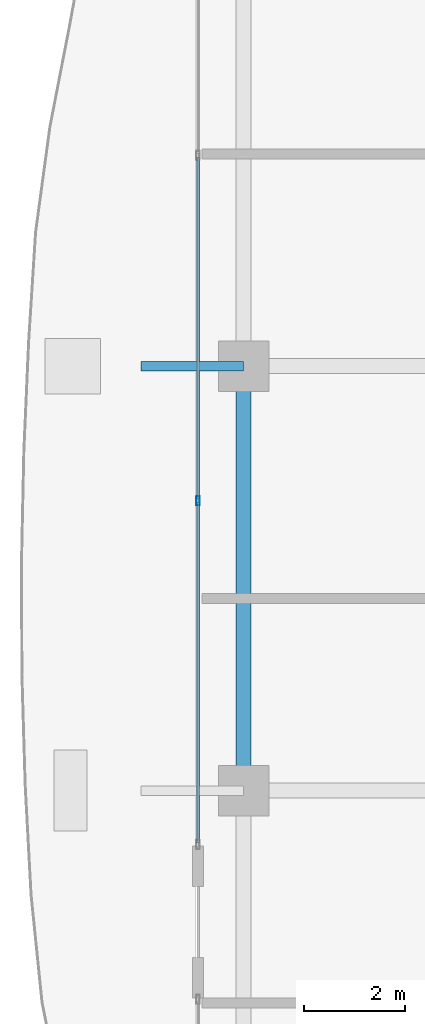
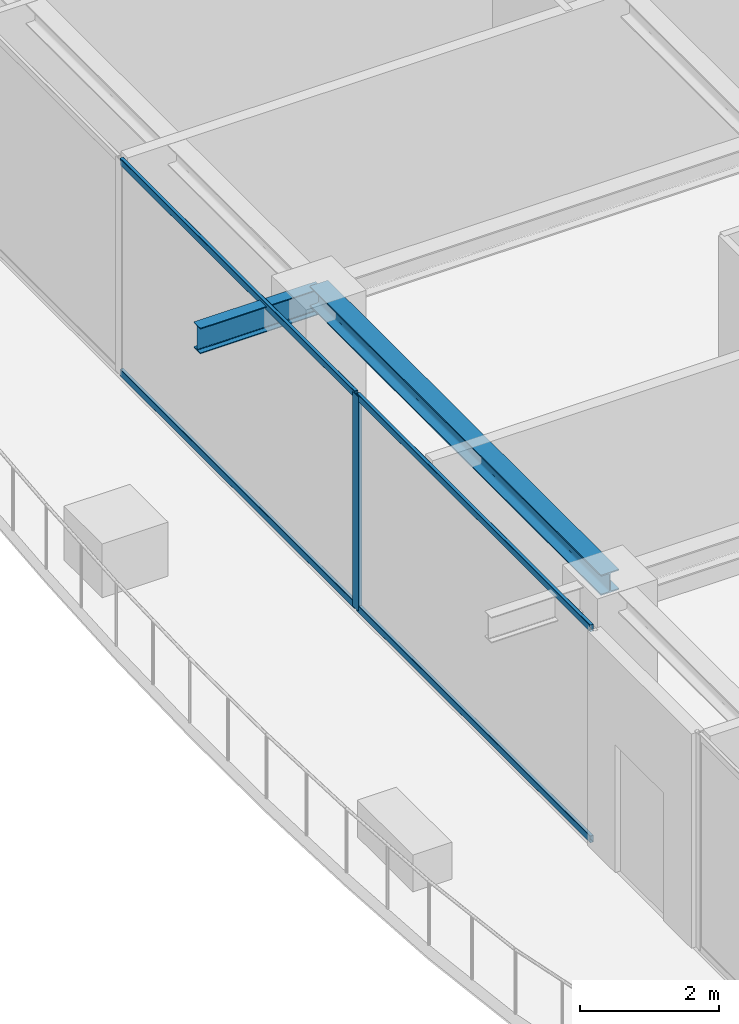
# One storey, part 8 of 37: 5 members, 2 beams, 1 element without a shape of its own.
"""IFC4 building model written with IfcOpenShell, lengths in metres."""

from ifc_helpers import new_model, si_unit, direction, frame, origin, origin_2d, place, context, subcontext, project, spatial, hollow_rectangle, i_section, extrude, source, transform, mapped, material, layer, layer_set, material_profile, profile_set, type_object, element, aggregate, save


model = new_model("IFC4")

# Units and contexts
model_context = context("Model", 3, precision=1e-05, world=origin(), true_north=direction((0.0, 1.0)))
body_context = subcontext(model_context, "Body", "Model", "MODEL_VIEW")
ifc_project = project(units=[si_unit("LENGTHUNIT", "METRE"), si_unit("AREAUNIT", "SQUARE_METRE"), si_unit("VOLUMEUNIT", "CUBIC_METRE"), si_unit("PLANEANGLEUNIT", "RADIAN"), si_unit("MASSUNIT", "GRAM", prefix="KILO")], contexts=[model_context])

# Site, building, storey
site_placement = place(None, origin())
site = spatial("IfcSite", under=ifc_project, at=site_placement, CompositionType="ELEMENT")
building_placement = place(site_placement, origin())
building = spatial("IfcBuilding", under=site, at=building_placement, Name="Serunith Strait Residences", CompositionType="ELEMENT")
storey_placement = place(building_placement, frame((0.0, 0.0, 305.60009765625)))
storey = spatial("IfcBuildingStorey", under=building, at=storey_placement, Name="L76", CompositionType="ELEMENT", Elevation=305.60009765625)

# Beams
ifc_material_1 = material(Name="Steel S355J2", Category="steel")
ifc_material_profile_1 = material_profile(ifc_material_1, i_section(OverallWidth=0.300048828125, OverallDepth=0.360107421875, WebThickness=0.012451171875, FlangeThickness=0.0224609375, FilletRadius=0.027099609375, at=origin_2d()), Name="HEB 360")
ifc_profile_set_1 = profile_set([ifc_material_profile_1], Name="Steel S355J2")
beam_type_1 = type_object("IfcBeamType", Name="BM-HEB360", PredefinedType="BEAM", material=ifc_profile_set_1)
shared_shape_1 = source(origin(), body_context, "Body", "SweptSolid", [
    extrude(i_section(OverallWidth=0.300048828125, OverallDepth=0.360107421875, WebThickness=0.012451171875, FlangeThickness=0.0224609375, FilletRadius=0.027099609375, at=origin_2d()), origin(), (0.0, 0.0, 1.0), 8.39990234375),
])
beam_1_placement = place(storey_placement, frame((10.10009765625, 29.39990234375, 3.60693359375), z_axis=(0.0, -1.0, 0.0), x_axis=(1.0, 0.0, 0.0)))
element("IfcBeam", 1, at=beam_1_placement, inside=storey, type_object=beam_type_1, Name="L76 Perimeter Ring Beam 14", PredefinedType="BEAM", context=body_context, shape_type="MappedRepresentation", body=[
    mapped(shared_shape_1, transform((0.0, 0.0, 0.0), scale=1.0)),
])
ifc_material_profile_2 = material_profile(ifc_material_1, i_section(OverallWidth=0.18994140625, OverallDepth=0.449951171875, WebThickness=0.009521484375, FlangeThickness=0.0146484375, FilletRadius=0.02099609375, at=origin_2d()), Name="IPE 450")
ifc_profile_set_2 = profile_set([ifc_material_profile_2], Name="Steel S355J2")
beam_type_2 = type_object("IfcBeamType", Name="BM-IPE450", PredefinedType="JOIST", material=ifc_profile_set_2)
shared_shape_2 = source(origin(), body_context, "Body", "SweptSolid", [
    extrude(i_section(OverallWidth=0.18994140625, OverallDepth=0.449951171875, WebThickness=0.009521484375, FlangeThickness=0.0146484375, FilletRadius=0.02099609375, at=origin_2d()), origin(), (0.0, 0.0, 1.0), 2.030029296875),
])
beam_2_placement = place(storey_placement, frame((10.10009765625, 29.39990234375, 3.531982421875), z_axis=(-1.0, 0.0, 0.0), x_axis=(0.0, -1.0, 0.0)))
element("IfcBeam", 2, at=beam_2_placement, inside=storey, type_object=beam_type_2, Name="L77 Cantilevered Balcony Rib TC-W3", PredefinedType="JOIST", context=body_context, shape_type="MappedRepresentation", body=[
    mapped(shared_shape_2, transform((0.0, 0.0, 0.0), scale=1.0)),
])

# Curtain wall, members
ifc_material_2 = material(Name="Brushed Stainless-Silver Aluminium", Category="aluminium")
ifc_layer = layer(ifc_material_2, 0.199951171875, Name="Brushed Stainless-Silver Aluminium")
ifc_layer_set = layer_set([ifc_layer], Name="Brushed Stainless-Silver Aluminium")
curtain_wall_type = type_object("IfcCurtainWallType", Name="CW-SYS5", PredefinedType="NOTDEFINED", material=ifc_layer_set)
curtain_wall_placement = place(storey_placement, origin())
curtain_wall = element("IfcCurtainWall", 3, at=curtain_wall_placement, inside=storey, type_object=curtain_wall_type, Name="L76 W Unitised Fritted Curtain Wall", PredefinedType="NOTDEFINED")
ifc_material_profile_3 = material_profile(ifc_material_2, hollow_rectangle(XDim=0.06494140625, YDim=0.179931640625, WallThickness=0.00341796875, InnerFilletRadius=0.00537109375, OuterFilletRadius=0.0087890625, at=origin_2d()), Name="ALU 180x65x3.5")
ifc_profile_set_3 = profile_set([ifc_material_profile_3], Name="Brushed Stainless-Silver Aluminium")
member_type_1 = type_object("IfcMemberType", Name="CW-SYS5-MULL", PredefinedType="MULLION", material=ifc_profile_set_3)
shared_shape_3 = source(origin(), body_context, "Body", "SweptSolid", [
    extrude(hollow_rectangle(XDim=0.06494140625, YDim=0.179931640625, WallThickness=0.00341796875, InnerFilletRadius=0.00537109375, OuterFilletRadius=0.0087890625, at=origin_2d()), origin(), (0.0, 0.0, 1.0), 3.77490234375),
])
member_1_placement = place(storey_placement, frame((9.199951171875, 26.7333984375, 0.0), z_axis=(0.0, 0.0, 1.0), x_axis=(1.0, 0.0, 0.0)))
member_1 = element("IfcMember", 4, at=member_1_placement, type_object=member_type_1, Name="CW-5 mullion 3", PredefinedType="MULLION", context=body_context, shape_type="MappedRepresentation", body=[
    mapped(shared_shape_3, transform((0.0, 0.0, 0.0), scale=1.0)),
])
ifc_material_profile_4 = material_profile(ifc_material_2, hollow_rectangle(XDim=0.06005859375, YDim=0.1201171875, WallThickness=0.00341796875, InnerFilletRadius=0.00537109375, OuterFilletRadius=0.0087890625, at=origin_2d()), Name="ALU 120x60x3.5")
ifc_profile_set_4 = profile_set([ifc_material_profile_4], Name="Brushed Stainless-Silver Aluminium")
member_type_2 = type_object("IfcMemberType", Name="CW-SYS5-TRAN", PredefinedType="USERDEFINED", material=ifc_profile_set_4)
shared_shape_4 = source(origin(), body_context, "Body", "SweptSolid", [
    extrude(hollow_rectangle(XDim=0.06005859375, YDim=0.1201171875, WallThickness=0.00341796875, InnerFilletRadius=0.00537109375, OuterFilletRadius=0.0087890625, at=origin_2d()), origin(), (0.0, 0.0, 1.0), 6.73583984375),
])
member_2_placement = place(storey_placement, frame((9.199951171875, 26.700927734375, 0.02978515625), z_axis=(0.0, -1.0, 0.0), x_axis=(1.0, 0.0, 0.0)))
member_2 = element("IfcMember", 5, at=member_2_placement, type_object=member_type_2, Name="CW-5 transom 3.1", ObjectType="TRANSOM", PredefinedType="USERDEFINED", context=body_context, shape_type="MappedRepresentation", body=[
    mapped(shared_shape_4, transform((0.0, 0.0, 0.0), scale=1.0)),
])
member_3_placement = place(storey_placement, frame((9.199951171875, 26.700927734375, 3.744873046875), z_axis=(0.0, -1.0, 0.0), x_axis=(1.0, 0.0, 0.0)))
member_3 = element("IfcMember", 6, at=member_3_placement, type_object=member_type_2, Name="CW-5 transom 3.2", ObjectType="TRANSOM", PredefinedType="USERDEFINED", context=body_context, shape_type="MappedRepresentation", body=[
    mapped(shared_shape_4, transform((0.0, 0.0, 0.0), scale=1.0)),
])
shared_shape_5 = source(origin(), body_context, "Body", "SweptSolid", [
    extrude(hollow_rectangle(XDim=0.06005859375, YDim=0.1201171875, WallThickness=0.00341796875, InnerFilletRadius=0.00537109375, OuterFilletRadius=0.0087890625, at=origin_2d()), origin(), (0.0, 0.0, 1.0), 6.768310546875),
])
member_4_placement = place(storey_placement, frame((9.199951171875, 33.5341796875, 0.02978515625), z_axis=(0.0, -1.0, 0.0), x_axis=(1.0, 0.0, 0.0)))
member_4 = element("IfcMember", 7, at=member_4_placement, type_object=member_type_2, Name="CW-5 transom 2.1", ObjectType="TRANSOM", PredefinedType="USERDEFINED", context=body_context, shape_type="MappedRepresentation", body=[
    mapped(shared_shape_5, transform((0.0, 0.0, 0.0), scale=1.0)),
])
member_5_placement = place(storey_placement, frame((9.199951171875, 33.5341796875, 3.744873046875), z_axis=(0.0, -1.0, 0.0), x_axis=(1.0, 0.0, 0.0)))
member_5 = element("IfcMember", 8, at=member_5_placement, type_object=member_type_2, Name="CW-5 transom 2.2", ObjectType="TRANSOM", PredefinedType="USERDEFINED", context=body_context, shape_type="MappedRepresentation", body=[
    mapped(shared_shape_5, transform((0.0, 0.0, 0.0), scale=1.0)),
])
aggregate(curtain_wall, [member_1, member_4, member_5, member_2, member_3])

save(model, "model.ifc")
